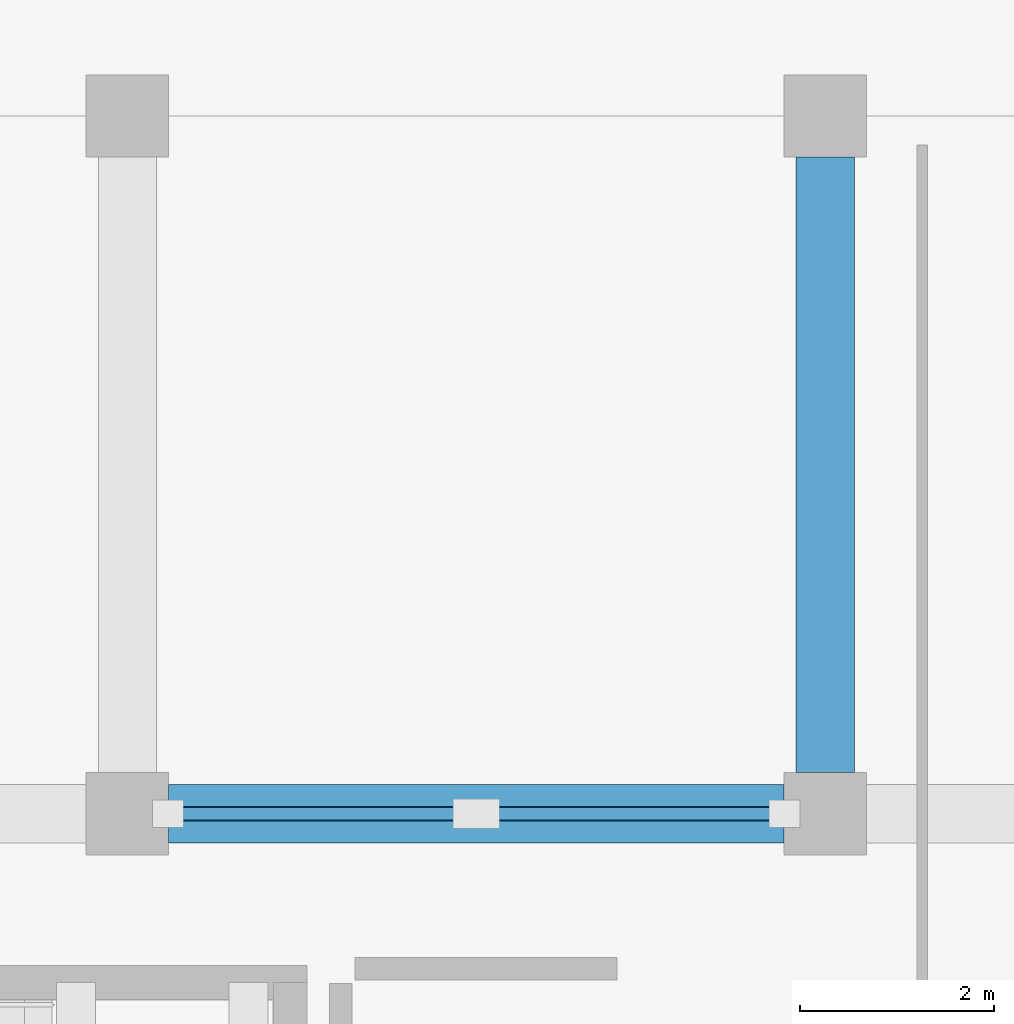
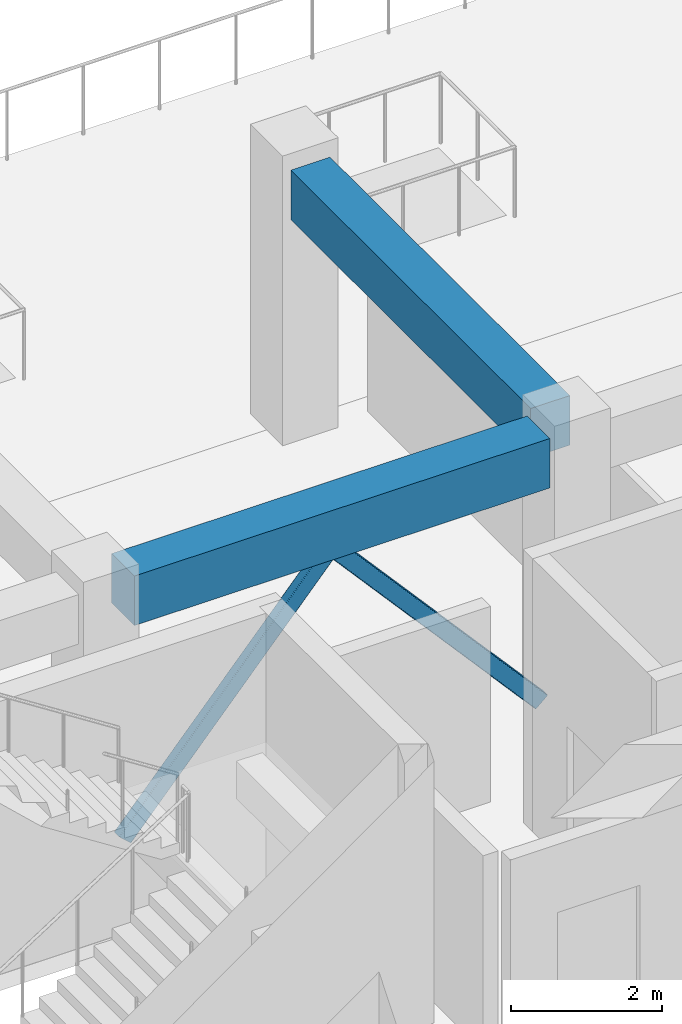
# One storey, part 9 of 55: 2 beams, 2 members.
"""IFC4 building model written with IfcOpenShell, lengths in metres."""

import ifcopenshell
import ifcopenshell.guid

model = None  # the IFC model being written
_history = None  # IfcOwnerHistory: only IFC2X3 demands one
_inside = {}  # id of a spatial element -> (the spatial element, [elements in it])
_under = {}  # id of a project, library or spatial element -> (it, [spatial elements below it])
_declared = {}  # id of a project -> (the project, [libraries it declares])
_typed = {}  # id of a type object -> (the type object, [elements of that type])
_made_of = {}  # id of a material, layer set ... -> (it, [elements and type objects made of it])


def new_model(schema):
    """Start an empty IFC model of exactly this schema.

    Asked for "IFC4X3", IfcOpenShell would pick the latest addendum, in which some entities
    have other attributes; the version numbers below select the first issue.
    IFC2X3 requires an IfcOwnerHistory on every rooted entity: one is made here for all.
    """
    global model, _history
    if schema == "IFC4X3":
        model = ifcopenshell.file(schema_version=(4, 3, 0, 0))
    else:
        model = ifcopenshell.file(schema=schema)
    _inside.clear()
    _under.clear()
    _declared.clear()
    _typed.clear()
    _made_of.clear()
    _history = None
    if model.schema == "IFC2X3":
        org = make("IfcOrganization", Name="unknown")
        user = make(
            "IfcPersonAndOrganization",
            ThePerson=make("IfcPerson", FamilyName="unknown"),
            TheOrganization=org,
        )
        app = make(
            "IfcApplication",
            ApplicationDeveloper=org,
            Version="unknown",
            ApplicationFullName="unknown",
            ApplicationIdentifier="unknown",
        )
        _history = make(
            "IfcOwnerHistory",
            OwningUser=user,
            OwningApplication=app,
            ChangeAction="ADDED",
            CreationDate=0,
        )
    return model


def make(cls, **values):
    """One entity of the class cls with the attributes given. An attribute that is None is left unset."""
    return model.create_entity(
        cls, **{name: value for name, value in values.items() if value is not None}
    )


def rooted(cls, **values):
    """An entity with a GlobalId (a new one), such as an element, a storey or a relation."""
    return make(cls, GlobalId=ifcopenshell.guid.new(), OwnerHistory=_history, **values)


def si_unit(unit_type, name, prefix=None):
    """IfcSIUnit, for example si_unit("LENGTHUNIT", "METRE", prefix="MILLI")."""
    return make("IfcSIUnit", UnitType=unit_type, Prefix=prefix, Name=name)


def assignment(units):
    """IfcUnitAssignment: the units of a project."""
    return None if units is None else make("IfcUnitAssignment", Units=units)


def point(xyz):
    """IfcCartesianPoint."""
    return None if xyz is None else make("IfcCartesianPoint", Coordinates=xyz)


def direction(xyz):
    """IfcDirection."""
    return None if xyz is None else make("IfcDirection", DirectionRatios=xyz)


def frame(location, z_axis=None, x_axis=None):
    """IfcAxis2Placement3D, a coordinate frame: its origin and axes. An axis left out is left unset."""
    return make(
        "IfcAxis2Placement3D",
        Location=point(location),
        Axis=direction(z_axis),
        RefDirection=direction(x_axis),
    )


def frame_2d(location, x_axis=None):
    """IfcAxis2Placement2D, a coordinate frame in the plane: its origin and x axis."""
    return make(
        "IfcAxis2Placement2D", Location=point(location), RefDirection=direction(x_axis)
    )


def origin():
    """The frame at (0, 0, 0) with its axes left unset."""
    return frame((0.0, 0.0, 0.0))


def origin_2d():
    """The frame at (0, 0) in the plane with its x axis left unset."""
    return frame_2d((0.0, 0.0))


def place(relative_to, where):
    """IfcLocalPlacement: puts the frame where relative to a parent placement (None: the world)."""
    return make(
        "IfcLocalPlacement", PlacementRelTo=relative_to, RelativePlacement=where
    )


def context(
    kind, dimensions, precision=None, world=None, true_north=None, identifier=None
):
    """IfcGeometricRepresentationContext, for example the 3D "Model" context."""
    return make(
        "IfcGeometricRepresentationContext",
        ContextIdentifier=identifier,
        ContextType=kind,
        CoordinateSpaceDimension=dimensions,
        Precision=precision,
        WorldCoordinateSystem=world,
        TrueNorth=true_north,
    )


def subcontext(parent, identifier, kind, view, scale=None):
    """IfcGeometricRepresentationSubContext, for example "Body" below "Model"."""
    return make(
        "IfcGeometricRepresentationSubContext",
        ContextIdentifier=identifier,
        ContextType=kind,
        ParentContext=parent,
        TargetScale=scale,
        TargetView=view,
    )


def project(units=None, contexts=None):
    """IfcProject with its units and contexts."""
    return rooted(
        "IfcProject",
        Name="project",
        RepresentationContexts=contexts,
        UnitsInContext=assignment(units),
    )


def spatial(cls, under=None, at=None, **own):
    """A site, building, storey or space (cls), placed at a placement, below another one or the project."""
    s = rooted(cls, ObjectPlacement=at, **own)
    if under is not None:
        _under.setdefault(under.id(), (under, []))[1].append(s)
    return s


def profile(cls, at=None, kind="AREA", **sizes):
    """A parametric profile (cls). Its sizes go by their IFC names, for example OverallWidth=200.0."""
    return make(cls, ProfileType=kind, Position=at, **sizes)


def rectangle(**sizes):
    """IfcRectangleProfileDef."""
    return profile("IfcRectangleProfileDef", **sizes)


def hollow_rectangle(**sizes):
    """IfcRectangleHollowProfileDef."""
    return profile("IfcRectangleHollowProfileDef", **sizes)


def extrude(swept, where, along, depth):
    """IfcExtrudedAreaSolid: the profile swept, set in the frame where, extruded along a direction by depth."""
    return make(
        "IfcExtrudedAreaSolid",
        SweptArea=swept,
        Position=where,
        ExtrudedDirection=direction(along),
        Depth=depth,
    )


def shape(context_of_items, identifier, shape_type, items):
    """IfcShapeRepresentation: the items that make up one representation, for example the "Body"."""
    return make(
        "IfcShapeRepresentation",
        ContextOfItems=context_of_items,
        RepresentationIdentifier=identifier,
        RepresentationType=shape_type,
        Items=items,
    )


def material(Name=None, Category=None):
    """IfcMaterial."""
    return make("IfcMaterial", Name=Name, Category=Category)


def material_profile(
    of_material, cross_section, Name=None, Category=None, Priority=None
):
    """IfcMaterialProfile: a cross section and its material."""
    return make(
        "IfcMaterialProfile",
        Name=Name,
        Material=of_material,
        Profile=cross_section,
        Priority=Priority,
        Category=Category,
    )


def profile_set(profiles, Name=None, composite=None):
    """IfcMaterialProfileSet."""
    return make(
        "IfcMaterialProfileSet",
        Name=Name,
        MaterialProfiles=profiles,
        CompositeProfile=composite,
    )


def made_of(thing, what):
    """Note that an element or type object is made of a material, layer set ...; save() writes the relation."""
    if what is not None:
        _made_of.setdefault(what.id(), (what, []))[1].append(thing)
    return thing


def type_object(cls, material=None, **own):
    """A type object (cls), such as IfcWallType, which elements share."""
    return made_of(rooted(cls, **own), material)


def element(
    cls,
    number,
    at=None,
    inside=None,
    cuts=None,
    type_object=None,
    material=None,
    context=None,
    identifier="Body",
    shape_type=None,
    held_by="IfcProductDefinitionShape",
    body=None,
    shapes=None,
    **own,
):
    """One element of the class cls, such as IfcWall. Its Tag is "e" and its number.

    at: its placement. inside: the storey or other place that contains it. cuts: it is an
    opening in that element (IfcRelVoidsElement). A single representation is given by context,
    identifier, shape_type and body (its items); several are given by shapes. held_by: the class
    of the entity that holds the representations. save() writes the other relations.
    """
    e = rooted(cls, Tag="e%d" % number, ObjectPlacement=at, **own)
    if body is not None:
        shapes = [shape(context, identifier, shape_type, body)]
    if shapes is not None:
        e.Representation = make(held_by, Representations=shapes)
    if inside is not None:
        _inside.setdefault(inside.id(), (inside, []))[1].append(e)
    if cuts is not None:
        rooted(
            "IfcRelVoidsElement", RelatingBuildingElement=cuts, RelatedOpeningElement=e
        )
    if type_object is not None:
        _typed.setdefault(type_object.id(), (type_object, []))[1].append(e)
    return made_of(e, material)


def aggregate(whole, parts):
    """IfcRelAggregates: a whole, such as a stair, and the parts it consists of."""
    return rooted("IfcRelAggregates", RelatingObject=whole, RelatedObjects=parts)


def save(model, path):
    """Write the relations noted so far, then the file.

    IfcRelAggregates (storeys below a building ...), IfcRelContainedInSpatialStructure (elements
    in a storey), IfcRelDefinesByType, IfcRelAssociatesMaterial and IfcRelDeclares: one each for
    every whole, place, type object, material and project.
    """
    for whole, parts in _under.values():
        aggregate(whole, parts)
    for where, things in _inside.values():
        rooted(
            "IfcRelContainedInSpatialStructure",
            RelatedElements=things,
            RelatingStructure=where,
        )
    for kind, things in _typed.values():
        rooted("IfcRelDefinesByType", RelatedObjects=things, RelatingType=kind)
    for what, things in _made_of.values():
        rooted("IfcRelAssociatesMaterial", RelatedObjects=things, RelatingMaterial=what)
    for by, libraries in _declared.values():
        rooted("IfcRelDeclares", RelatingContext=by, RelatedDefinitions=libraries)
    model.write(path)


model = new_model("IFC4")

# Units and contexts
model_context = context("Model", 3, precision=1e-05, world=origin(), true_north=direction((0.0, 1.0)))
body_context = subcontext(model_context, "Body", "Model", "MODEL_VIEW")
ifc_project = project(units=[si_unit("LENGTHUNIT", "METRE"), si_unit("AREAUNIT", "SQUARE_METRE"), si_unit("VOLUMEUNIT", "CUBIC_METRE"), si_unit("PLANEANGLEUNIT", "RADIAN"), si_unit("MASSUNIT", "GRAM", prefix="KILO")], contexts=[model_context])

# Site, building, storey
site_placement = place(None, origin())
site = spatial("IfcSite", under=ifc_project, at=site_placement, CompositionType="ELEMENT")
building_placement = place(site_placement, origin())
building = spatial("IfcBuilding", under=site, at=building_placement, Name="Kazehaya Institute of Natural Sciences", CompositionType="ELEMENT")
storey_placement = place(building_placement, frame((0.0, 0.0, 15.1201171875)))
storey = spatial("IfcBuildingStorey", under=building, at=storey_placement, Name="L03", CompositionType="ELEMENT", Elevation=15.1201171875)

# Beams
ifc_material_1 = material(Name="Concrete Fc36", Category="concrete")
ifc_material_profile_1 = material_profile(ifc_material_1, rectangle(XDim=0.60009765625, YDim=0.800048828125, at=origin_2d()), Name="RC-600x800")
ifc_profile_set_1 = profile_set([ifc_material_profile_1], Name="Concrete Fc36")
beam_type = type_object("IfcBeamType", Name="BM-G-600x800", PredefinedType="BEAM", material=ifc_profile_set_1)
beam_1_placement = place(storey_placement, frame((69.425048828125, 28.39990234375, 4.009765625), z_axis=(1.0, 0.0, 0.0), x_axis=(0.0, 1.0, 0.0)))
element("IfcBeam", 1, at=beam_1_placement, inside=storey, type_object=beam_type, Name="L03 primary X girder BMX-L03-690-284", PredefinedType="BEAM", context=body_context, shape_type="SweptSolid", body=[
    extrude(rectangle(XDim=0.60009765625, YDim=0.800048828125, at=origin_2d()), origin(), (0.0, 0.0, 1.0), 6.349853515625),
])
beam_2_placement = place(storey_placement, frame((76.199951171875, 28.824951171875, 4.009765625), z_axis=(0.0, 1.0, 0.0), x_axis=(-1.0, 0.0, 0.0)))
element("IfcBeam", 2, at=beam_2_placement, inside=storey, type_object=beam_type, Name="L03 primary Y girder BMY-L03-762-284", PredefinedType="BEAM", context=body_context, shape_type="SweptSolid", body=[
    extrude(rectangle(XDim=0.60009765625, YDim=0.800048828125, at=origin_2d()), origin(), (0.0, 0.0, 1.0), 6.35009765625),
])

# Members
ifc_material_2 = material(Name="Structural steel BCR295", Category="steel")
ifc_material_profile_2 = material_profile(ifc_material_2, hollow_rectangle(XDim=0.14990234375, YDim=0.25, WallThickness=0.009033203125, InnerFilletRadius=0.012939453125, OuterFilletRadius=0.02197265625, at=origin_2d()), Name="BCR-250x150x9")
ifc_profile_set_2 = profile_set([ifc_material_profile_2], Name="Structural steel BCR295")
member_type = type_object("IfcMemberType", Name="MEM-BR-BCR250x150", PredefinedType="BRACE", material=ifc_profile_set_2)
for number, where, z_axis, x_axis, name in (
    (3, (69.419921875, 28.39990234375, 0.009765625), (0.662045138258, 0.0, 0.749463965051), (0.0, 1.0, 0.0), "L03 core spine seismic brace 7"),
    (4, (75.780029296875, 28.39990234375, 0.009765625), (-0.662016588662, 0.0, 0.749489183602), (0.0, -1.0, 0.0), "L03 core spine seismic brace 8"),
):
    element("IfcMember", number, at=place(storey_placement, frame(where, z_axis=z_axis, x_axis=x_axis)), inside=storey, type_object=member_type, Name=name, PredefinedType="BRACE", context=body_context, shape_type="SweptSolid", body=[
        extrude(hollow_rectangle(XDim=0.14990234375, YDim=0.25, WallThickness=0.009033203125, InnerFilletRadius=0.012939453125, OuterFilletRadius=0.02197265625, at=origin_2d()), origin(), (0.0, 0.0, 1.0), 4.803466796875),
    ])

save(model, "model.ifc")
